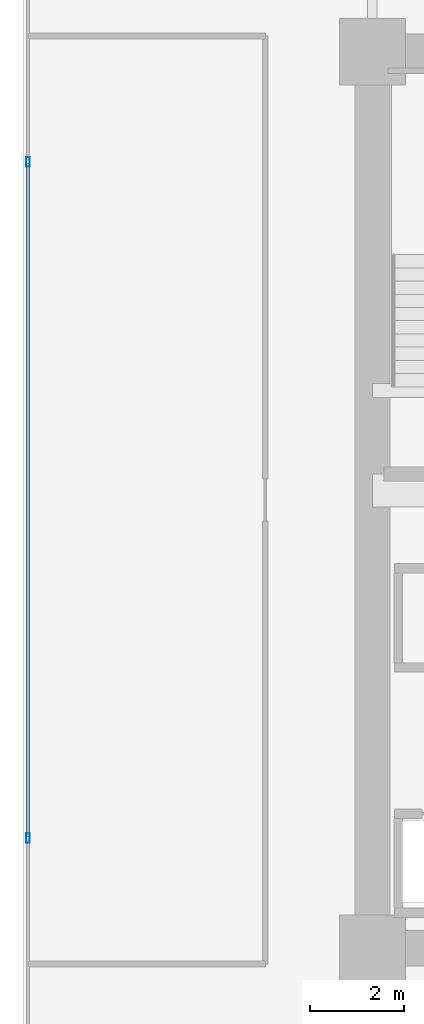
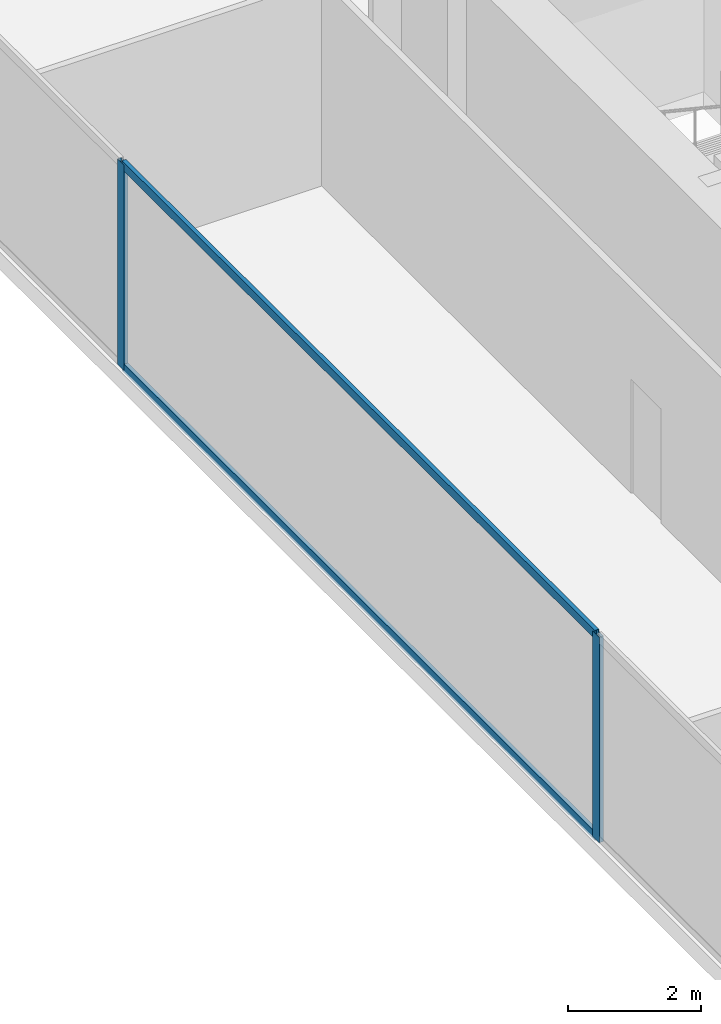
# One storey, part 6 of 35: 4 members, 1 element without a shape of its own.
"""IFC4 building model written with IfcOpenShell, lengths in metres."""

import ifcopenshell
import ifcopenshell.guid

model = None  # the IFC model being written
_history = None  # IfcOwnerHistory: only IFC2X3 demands one
_inside = {}  # id of a spatial element -> (the spatial element, [elements in it])
_under = {}  # id of a project, library or spatial element -> (it, [spatial elements below it])
_declared = {}  # id of a project -> (the project, [libraries it declares])
_typed = {}  # id of a type object -> (the type object, [elements of that type])
_made_of = {}  # id of a material, layer set ... -> (it, [elements and type objects made of it])


def new_model(schema):
    """Start an empty IFC model of exactly this schema.

    Asked for "IFC4X3", IfcOpenShell would pick the latest addendum, in which some entities
    have other attributes; the version numbers below select the first issue.
    IFC2X3 requires an IfcOwnerHistory on every rooted entity: one is made here for all.
    """
    global model, _history
    if schema == "IFC4X3":
        model = ifcopenshell.file(schema_version=(4, 3, 0, 0))
    else:
        model = ifcopenshell.file(schema=schema)
    _inside.clear()
    _under.clear()
    _declared.clear()
    _typed.clear()
    _made_of.clear()
    _history = None
    if model.schema == "IFC2X3":
        org = make("IfcOrganization", Name="unknown")
        user = make(
            "IfcPersonAndOrganization",
            ThePerson=make("IfcPerson", FamilyName="unknown"),
            TheOrganization=org,
        )
        app = make(
            "IfcApplication",
            ApplicationDeveloper=org,
            Version="unknown",
            ApplicationFullName="unknown",
            ApplicationIdentifier="unknown",
        )
        _history = make(
            "IfcOwnerHistory",
            OwningUser=user,
            OwningApplication=app,
            ChangeAction="ADDED",
            CreationDate=0,
        )
    return model


def make(cls, **values):
    """One entity of the class cls with the attributes given. An attribute that is None is left unset."""
    return model.create_entity(
        cls, **{name: value for name, value in values.items() if value is not None}
    )


def rooted(cls, **values):
    """An entity with a GlobalId (a new one), such as an element, a storey or a relation."""
    return make(cls, GlobalId=ifcopenshell.guid.new(), OwnerHistory=_history, **values)


def si_unit(unit_type, name, prefix=None):
    """IfcSIUnit, for example si_unit("LENGTHUNIT", "METRE", prefix="MILLI")."""
    return make("IfcSIUnit", UnitType=unit_type, Prefix=prefix, Name=name)


def assignment(units):
    """IfcUnitAssignment: the units of a project."""
    return None if units is None else make("IfcUnitAssignment", Units=units)


def point(xyz):
    """IfcCartesianPoint."""
    return None if xyz is None else make("IfcCartesianPoint", Coordinates=xyz)


def direction(xyz):
    """IfcDirection."""
    return None if xyz is None else make("IfcDirection", DirectionRatios=xyz)


def frame(location, z_axis=None, x_axis=None):
    """IfcAxis2Placement3D, a coordinate frame: its origin and axes. An axis left out is left unset."""
    return make(
        "IfcAxis2Placement3D",
        Location=point(location),
        Axis=direction(z_axis),
        RefDirection=direction(x_axis),
    )


def frame_2d(location, x_axis=None):
    """IfcAxis2Placement2D, a coordinate frame in the plane: its origin and x axis."""
    return make(
        "IfcAxis2Placement2D", Location=point(location), RefDirection=direction(x_axis)
    )


def origin():
    """The frame at (0, 0, 0) with its axes left unset."""
    return frame((0.0, 0.0, 0.0))


def origin_2d():
    """The frame at (0, 0) in the plane with its x axis left unset."""
    return frame_2d((0.0, 0.0))


def place(relative_to, where):
    """IfcLocalPlacement: puts the frame where relative to a parent placement (None: the world)."""
    return make(
        "IfcLocalPlacement", PlacementRelTo=relative_to, RelativePlacement=where
    )


def context(
    kind, dimensions, precision=None, world=None, true_north=None, identifier=None
):
    """IfcGeometricRepresentationContext, for example the 3D "Model" context."""
    return make(
        "IfcGeometricRepresentationContext",
        ContextIdentifier=identifier,
        ContextType=kind,
        CoordinateSpaceDimension=dimensions,
        Precision=precision,
        WorldCoordinateSystem=world,
        TrueNorth=true_north,
    )


def subcontext(parent, identifier, kind, view, scale=None):
    """IfcGeometricRepresentationSubContext, for example "Body" below "Model"."""
    return make(
        "IfcGeometricRepresentationSubContext",
        ContextIdentifier=identifier,
        ContextType=kind,
        ParentContext=parent,
        TargetScale=scale,
        TargetView=view,
    )


def project(units=None, contexts=None):
    """IfcProject with its units and contexts."""
    return rooted(
        "IfcProject",
        Name="project",
        RepresentationContexts=contexts,
        UnitsInContext=assignment(units),
    )


def spatial(cls, under=None, at=None, **own):
    """A site, building, storey or space (cls), placed at a placement, below another one or the project."""
    s = rooted(cls, ObjectPlacement=at, **own)
    if under is not None:
        _under.setdefault(under.id(), (under, []))[1].append(s)
    return s


def profile(cls, at=None, kind="AREA", **sizes):
    """A parametric profile (cls). Its sizes go by their IFC names, for example OverallWidth=200.0."""
    return make(cls, ProfileType=kind, Position=at, **sizes)


def hollow_rectangle(**sizes):
    """IfcRectangleHollowProfileDef."""
    return profile("IfcRectangleHollowProfileDef", **sizes)


def extrude(swept, where, along, depth):
    """IfcExtrudedAreaSolid: the profile swept, set in the frame where, extruded along a direction by depth."""
    return make(
        "IfcExtrudedAreaSolid",
        SweptArea=swept,
        Position=where,
        ExtrudedDirection=direction(along),
        Depth=depth,
    )


def shape(context_of_items, identifier, shape_type, items):
    """IfcShapeRepresentation: the items that make up one representation, for example the "Body"."""
    return make(
        "IfcShapeRepresentation",
        ContextOfItems=context_of_items,
        RepresentationIdentifier=identifier,
        RepresentationType=shape_type,
        Items=items,
    )


def source(mapping_origin, context_of_items, identifier, shape_type, items):
    """IfcRepresentationMap: a shape defined once, which mapped items show again and again."""
    return make(
        "IfcRepresentationMap",
        MappingOrigin=mapping_origin,
        MappedRepresentation=shape(context_of_items, identifier, shape_type, items),
    )


def transform(
    local_origin,
    x_axis=None,
    y_axis=None,
    z_axis=None,
    scale=None,
    scale2=None,
    scale3=None,
    uniform=True,
):
    """IfcCartesianTransformationOperator3D, or its non-uniform kind. x_axis, y_axis, z_axis: its Axis1, 2, 3."""
    if uniform:
        return make(
            "IfcCartesianTransformationOperator3D",
            Axis1=direction(x_axis),
            Axis2=direction(y_axis),
            LocalOrigin=point(local_origin),
            Scale=scale,
            Axis3=direction(z_axis),
        )
    return make(
        "IfcCartesianTransformationOperator3DnonUniform",
        Axis1=direction(x_axis),
        Axis2=direction(y_axis),
        LocalOrigin=point(local_origin),
        Scale=scale,
        Axis3=direction(z_axis),
        Scale2=scale2,
        Scale3=scale3,
    )


def mapped(mapping_source, mapping_target):
    """IfcMappedItem: shows the shape of a source again, moved by a transform."""
    return make(
        "IfcMappedItem", MappingSource=mapping_source, MappingTarget=mapping_target
    )


def material(Name=None, Category=None):
    """IfcMaterial."""
    return make("IfcMaterial", Name=Name, Category=Category)


def layer(
    of_material, thickness, ventilated=None, Name=None, Category=None, Priority=None
):
    """IfcMaterialLayer: one layer of a wall or slab, of a material (None: an air gap)."""
    return make(
        "IfcMaterialLayer",
        Material=of_material,
        LayerThickness=thickness,
        IsVentilated=ventilated,
        Name=Name,
        Category=Category,
        Priority=Priority,
    )


def layer_set(layers, Name=None):
    """IfcMaterialLayerSet."""
    return make("IfcMaterialLayerSet", MaterialLayers=layers, LayerSetName=Name)


def material_profile(
    of_material, cross_section, Name=None, Category=None, Priority=None
):
    """IfcMaterialProfile: a cross section and its material."""
    return make(
        "IfcMaterialProfile",
        Name=Name,
        Material=of_material,
        Profile=cross_section,
        Priority=Priority,
        Category=Category,
    )


def profile_set(profiles, Name=None, composite=None):
    """IfcMaterialProfileSet."""
    return make(
        "IfcMaterialProfileSet",
        Name=Name,
        MaterialProfiles=profiles,
        CompositeProfile=composite,
    )


def made_of(thing, what):
    """Note that an element or type object is made of a material, layer set ...; save() writes the relation."""
    if what is not None:
        _made_of.setdefault(what.id(), (what, []))[1].append(thing)
    return thing


def type_object(cls, material=None, **own):
    """A type object (cls), such as IfcWallType, which elements share."""
    return made_of(rooted(cls, **own), material)


def type_shapes(of_type, sources):
    """Give a type object the sources (RepresentationMaps) that its elements show as mapped items."""
    of_type.RepresentationMaps = sources


def element(
    cls,
    number,
    at=None,
    inside=None,
    cuts=None,
    type_object=None,
    material=None,
    context=None,
    identifier="Body",
    shape_type=None,
    held_by="IfcProductDefinitionShape",
    body=None,
    shapes=None,
    **own,
):
    """One element of the class cls, such as IfcWall. Its Tag is "e" and its number.

    at: its placement. inside: the storey or other place that contains it. cuts: it is an
    opening in that element (IfcRelVoidsElement). A single representation is given by context,
    identifier, shape_type and body (its items); several are given by shapes. held_by: the class
    of the entity that holds the representations. save() writes the other relations.
    """
    e = rooted(cls, Tag="e%d" % number, ObjectPlacement=at, **own)
    if body is not None:
        shapes = [shape(context, identifier, shape_type, body)]
    if shapes is not None:
        e.Representation = make(held_by, Representations=shapes)
    if inside is not None:
        _inside.setdefault(inside.id(), (inside, []))[1].append(e)
    if cuts is not None:
        rooted(
            "IfcRelVoidsElement", RelatingBuildingElement=cuts, RelatedOpeningElement=e
        )
    if type_object is not None:
        _typed.setdefault(type_object.id(), (type_object, []))[1].append(e)
    return made_of(e, material)


def aggregate(whole, parts):
    """IfcRelAggregates: a whole, such as a stair, and the parts it consists of."""
    return rooted("IfcRelAggregates", RelatingObject=whole, RelatedObjects=parts)


def save(model, path):
    """Write the relations noted so far, then the file.

    IfcRelAggregates (storeys below a building ...), IfcRelContainedInSpatialStructure (elements
    in a storey), IfcRelDefinesByType, IfcRelAssociatesMaterial and IfcRelDeclares: one each for
    every whole, place, type object, material and project.
    """
    for whole, parts in _under.values():
        aggregate(whole, parts)
    for where, things in _inside.values():
        rooted(
            "IfcRelContainedInSpatialStructure",
            RelatedElements=things,
            RelatingStructure=where,
        )
    for kind, things in _typed.values():
        rooted("IfcRelDefinesByType", RelatedObjects=things, RelatingType=kind)
    for what, things in _made_of.values():
        rooted("IfcRelAssociatesMaterial", RelatedObjects=things, RelatingMaterial=what)
    for by, libraries in _declared.values():
        rooted("IfcRelDeclares", RelatingContext=by, RelatedDefinitions=libraries)
    model.write(path)


model = new_model("IFC4")

# Units and contexts
model_context = context("Model", 3, precision=1e-05, world=origin(), true_north=direction((0.0, 1.0)))
body_context = subcontext(model_context, "Body", "Model", "MODEL_VIEW")
ifc_project = project(units=[si_unit("LENGTHUNIT", "METRE"), si_unit("AREAUNIT", "SQUARE_METRE"), si_unit("VOLUMEUNIT", "CUBIC_METRE"), si_unit("PLANEANGLEUNIT", "RADIAN"), si_unit("MASSUNIT", "GRAM", prefix="KILO")], contexts=[model_context])

# Site, building, storey
site_placement = place(None, origin())
site = spatial("IfcSite", under=ifc_project, at=site_placement, CompositionType="ELEMENT")
building_placement = place(site_placement, origin())
building = spatial("IfcBuilding", under=site, at=building_placement, Name="Haelvirn Gate Laboratories", CompositionType="ELEMENT")
storey_placement = place(building_placement, frame((0.0, 0.0, 66.199951171875)))
storey = spatial("IfcBuildingStorey", under=building, at=storey_placement, Name="L16", CompositionType="ELEMENT", Elevation=66.199951171875)

# Curtain wall, members
ifc_material_1 = material(Name="Anodised bronze unitised aluminium & triple low-E glass", Category="aluminium")
ifc_layer = layer(ifc_material_1, 0.18408203125, Name="CW-SYS-2")
ifc_layer_set = layer_set([ifc_layer], Name="Anodised bronze unitised aluminium & triple low-E glass")
curtain_wall_type = type_object("IfcCurtainWallType", Name="CW-SYS-2", PredefinedType="NOTDEFINED", material=ifc_layer_set)
curtain_wall_placement = place(storey_placement, origin())
curtain_wall = element("IfcCurtainWall", 1, at=curtain_wall_placement, inside=storey, type_object=curtain_wall_type, Name="L16 Unitised Curtain Wall CW-L16-P0-E17", PredefinedType="NOTDEFINED")
ifc_material_2 = material(Name="Extruded aluminium 6063-T6 (anodised bronze)", Category="aluminium")
ifc_material_profile_1 = material_profile(ifc_material_2, hollow_rectangle(XDim=0.074951171875, YDim=0.199951171875, WallThickness=0.0048828125, at=origin_2d()), Name="CWM-200x75x5")
ifc_profile_set_1 = profile_set([ifc_material_profile_1], Name="Extruded aluminium 6063-T6 (anodised bronze)")
member_type_1 = type_object("IfcMemberType", Name="CWM-T200", PredefinedType="MULLION", material=ifc_profile_set_1)
shared_shape_1 = source(origin(), body_context, "Body", "SweptSolid", [
    extrude(hollow_rectangle(XDim=0.074951171875, YDim=0.199951171875, WallThickness=0.0048828125, at=origin_2d()), origin(), (0.0, 0.0, 1.0), 3.780029296875),
])
type_shapes(member_type_1, [shared_shape_1])
member_1_placement = place(storey_placement, frame((0.10009765625, 31.466552734375, 0.0), z_axis=(0.0, 0.0, 1.0), x_axis=(1.0, 0.0, 0.0)))
member_1 = element("IfcMember", 2, at=member_1_placement, type_object=member_type_1, Name="CW2 mullion 2", PredefinedType="MULLION", context=body_context, shape_type="MappedRepresentation", body=[
    mapped(shared_shape_1, transform((0.0, 0.0, 0.0), scale=1.0)),
])
member_2_placement = place(storey_placement, frame((0.10009765625, 17.13330078125, 0.0), z_axis=(0.0, 0.0, 1.0), x_axis=(1.0, 0.0, 0.0)))
member_2 = element("IfcMember", 3, at=member_2_placement, type_object=member_type_1, Name="CW2 mullion 3", PredefinedType="MULLION", context=body_context, shape_type="MappedRepresentation", body=[
    mapped(shared_shape_1, transform((0.0, 0.0, 0.0), scale=1.0)),
])
ifc_material_profile_2 = material_profile(ifc_material_2, hollow_rectangle(XDim=0.070068359375, YDim=0.159912109375, WallThickness=0.0048828125, at=origin_2d()), Name="CWT-160x70x5")
ifc_profile_set_2 = profile_set([ifc_material_profile_2], Name="Extruded aluminium 6063-T6 (anodised bronze)")
member_type_2 = type_object("IfcMemberType", Name="CWT-T160", PredefinedType="USERDEFINED", material=ifc_profile_set_2)
shared_shape_2 = source(origin(), body_context, "Body", "SweptSolid", [
    extrude(hollow_rectangle(XDim=0.070068359375, YDim=0.159912109375, WallThickness=0.0048828125, at=origin_2d()), origin(), (0.0, 0.0, 1.0), 14.25830078125),
])
type_shapes(member_type_2, [shared_shape_2])
member_3_placement = place(storey_placement, frame((0.10009765625, 31.42919921875, 0.03515625), z_axis=(0.0, -1.0, 0.0), x_axis=(1.0, 0.0, 0.0)))
member_3 = element("IfcMember", 4, at=member_3_placement, type_object=member_type_2, Name="CW2 transom 2.1", ObjectType="TRANSOM", PredefinedType="USERDEFINED", context=body_context, shape_type="MappedRepresentation", body=[
    mapped(shared_shape_2, transform((0.0, 0.0, 0.0), scale=1.0)),
])
member_4_placement = place(storey_placement, frame((0.10009765625, 31.42919921875, 3.7451171875), z_axis=(0.0, -1.0, 0.0), x_axis=(1.0, 0.0, 0.0)))
member_4 = element("IfcMember", 5, at=member_4_placement, type_object=member_type_2, Name="CW2 transom 2.2", ObjectType="TRANSOM", PredefinedType="USERDEFINED", context=body_context, shape_type="MappedRepresentation", body=[
    mapped(shared_shape_2, transform((0.0, 0.0, 0.0), scale=1.0)),
])
aggregate(curtain_wall, [member_1, member_2, member_3, member_4])

save(model, "model.ifc")
